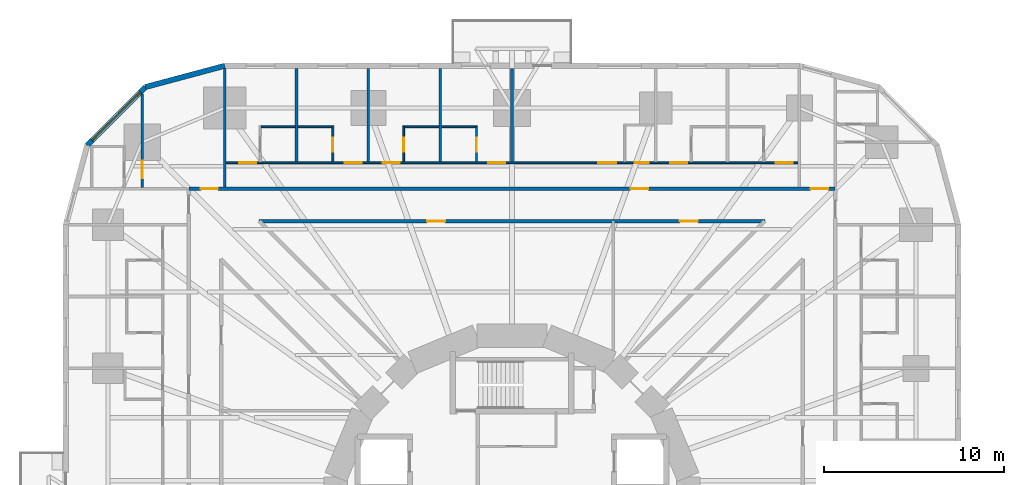
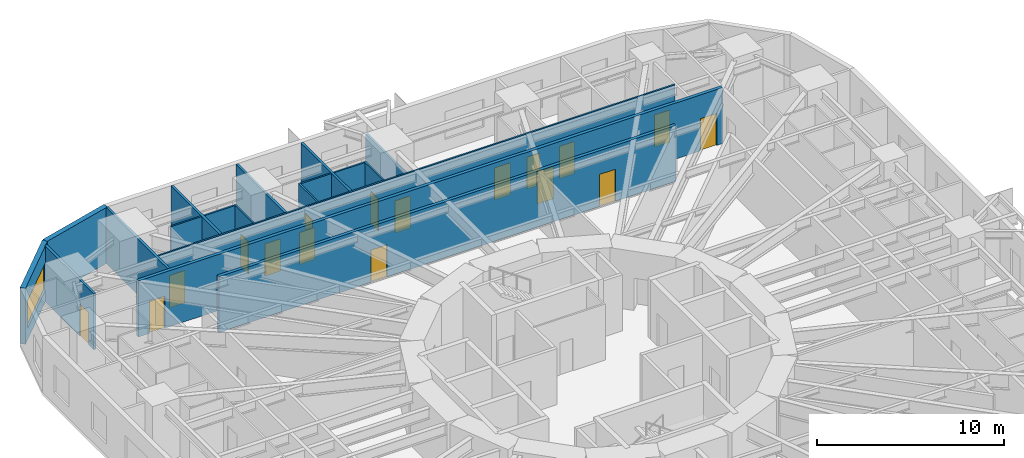
# One storey, part 10 of 14: 18 walls, 17 doors, 1 window, 18 openings.
"""IFC4 building model written with IfcOpenShell, lengths in metres."""

from ifc_helpers import new_model, si_unit, direction, frame, frame_2d, origin, place, context, subcontext, project, spatial, rectangle, extrude, material, layer, layer_set, type_object, element, fill, save


model = new_model("IFC4")

# Units and contexts
model_context = context("Model", 3, precision=1e-05, world=origin(), true_north=direction((0.0, 1.0)))
body_context = subcontext(model_context, "Body", "Model", "MODEL_VIEW")
ifc_project = project(units=[si_unit("LENGTHUNIT", "METRE"), si_unit("AREAUNIT", "SQUARE_METRE"), si_unit("VOLUMEUNIT", "CUBIC_METRE"), si_unit("PLANEANGLEUNIT", "RADIAN"), si_unit("MASSUNIT", "GRAM", prefix="KILO")], contexts=[model_context])

# Site, building, storey
site_placement = place(None, origin())
site = spatial("IfcSite", under=ifc_project, at=site_placement, CompositionType="ELEMENT")
building_placement = place(site_placement, origin())
building = spatial("IfcBuilding", under=site, at=building_placement, Name="Nakasero Lantern House", CompositionType="ELEMENT")
storey_placement = place(building_placement, frame((0.0, 0.0, 35.25)))
storey = spatial("IfcBuildingStorey", under=building, at=storey_placement, Name="L08", CompositionType="ELEMENT", Elevation=35.25)

# Wall, openings, doors
ifc_material_1 = material(Name="Blockwork", Category="masonry")
ifc_layer_1 = layer(ifc_material_1, 0.10009765625)
ifc_layer_set_1 = layer_set([ifc_layer_1], Name="Cluster hall wall 100")
wall_type_1 = type_object("IfcWallType", Name="Cluster hall wall 100", PredefinedType="PARTITIONING", material=ifc_layer_set_1)
wall_1_placement = place(storey_placement, frame((15.925048828125, 19.449951171875, 0.0), z_axis=(0.0, 0.0, 1.0), x_axis=(-1.0, 0.0, 0.0)))
wall_1 = element("IfcWall", 1, at=wall_1_placement, inside=storey, type_object=wall_type_1, Name="Cluster hall wall L08 HW1-0", PredefinedType="PARTITIONING", context=body_context, shape_type="SweptSolid", body=[
    extrude(rectangle(XDim=31.85009765625, YDim=0.10009765625, at=frame_2d((15.925048828125, 0.0))), origin(), (0.0, 0.0, 1.0), 3.64990234375),
])
opening_1_placement = place(wall_1_placement, frame((10.125, 0.0, 0.0)))
opening_1 = element("IfcOpeningElement", 2, at=opening_1_placement, cuts=wall_1, Name="Opening D03", PredefinedType="OPENING", context=body_context, shape_type="SweptSolid", body=[
    extrude(rectangle(XDim=1.0, YDim=2.10009765625, at=frame_2d((0.5, 1.050048828125))), frame((0.0, 0.070068359375, 0.0), z_axis=(0.0, -1.0, 0.0), x_axis=(1.0, 0.0, 0.0)), (0.0, 0.0, 1.0), 0.14013671875),
])
opening_2_placement = place(wall_1_placement, frame((8.300048828125, 0.0, 0.0)))
opening_2 = element("IfcOpeningElement", 3, at=opening_2_placement, cuts=wall_1, Name="Opening D02", PredefinedType="OPENING", context=body_context, shape_type="SweptSolid", body=[
    extrude(rectangle(XDim=0.800048828125, YDim=2.10009765625, at=frame_2d((0.39990234375, 1.050048828125))), frame((0.0, 0.070068359375, 0.0), z_axis=(0.0, -1.0, 0.0), x_axis=(1.0, 0.0, 0.0)), (0.0, 0.0, 1.0), 0.14013671875),
])
opening_3_placement = place(wall_1_placement, frame((0.300048828125, 0.0, 0.0)))
opening_3 = element("IfcOpeningElement", 4, at=opening_3_placement, cuts=wall_1, Name="Opening D01", PredefinedType="OPENING", context=body_context, shape_type="SweptSolid", body=[
    extrude(rectangle(XDim=0.949951171875, YDim=2.10009765625, at=frame_2d((0.47509765625, 1.050048828125))), frame((0.0, 0.070068359375, 0.0), z_axis=(0.0, -1.0, 0.0), x_axis=(1.0, 0.0, 0.0)), (0.0, 0.0, 1.0), 0.14013671875),
])
opening_4_placement = place(wall_1_placement, frame((6.175048828125, 0.0, 0.0)))
opening_4 = element("IfcOpeningElement", 5, at=opening_4_placement, cuts=wall_1, Name="Opening D01", PredefinedType="OPENING", context=body_context, shape_type="SweptSolid", body=[
    extrude(rectangle(XDim=0.949951171875, YDim=2.10009765625, at=frame_2d((0.47509765625, 1.050048828125))), frame((0.0, 0.070068359375, 0.0), z_axis=(0.0, -1.0, 0.0), x_axis=(1.0, 0.0, 0.0)), (0.0, 0.0, 1.0), 0.14013671875),
])
opening_5_placement = place(wall_1_placement, frame((16.300048828125, 0.0, 0.0)))
opening_5 = element("IfcOpeningElement", 6, at=opening_5_placement, cuts=wall_1, Name="Opening D01", PredefinedType="OPENING", context=body_context, shape_type="SweptSolid", body=[
    extrude(rectangle(XDim=0.949951171875, YDim=2.10009765625, at=frame_2d((0.47509765625, 1.050048828125))), frame((0.0, 0.070068359375, 0.0), z_axis=(0.0, -1.0, 0.0), x_axis=(1.0, 0.0, 0.0)), (0.0, 0.0, 1.0), 0.14013671875),
])
opening_6_placement = place(wall_1_placement, frame((22.175048828125, 0.0, 0.0)))
opening_6 = element("IfcOpeningElement", 7, at=opening_6_placement, cuts=wall_1, Name="Opening D01", PredefinedType="OPENING", context=body_context, shape_type="SweptSolid", body=[
    extrude(rectangle(XDim=0.949951171875, YDim=2.10009765625, at=frame_2d((0.47509765625, 1.050048828125))), frame((0.0, 0.070068359375, 0.0), z_axis=(0.0, -1.0, 0.0), x_axis=(1.0, 0.0, 0.0)), (0.0, 0.0, 1.0), 0.14013671875),
])
opening_7_placement = place(wall_1_placement, frame((24.300048828125, 0.0, 0.0)))
opening_7 = element("IfcOpeningElement", 8, at=opening_7_placement, cuts=wall_1, Name="Opening D01", PredefinedType="OPENING", context=body_context, shape_type="SweptSolid", body=[
    extrude(rectangle(XDim=0.949951171875, YDim=2.10009765625, at=frame_2d((0.47509765625, 1.050048828125))), frame((0.0, 0.070068359375, 0.0), z_axis=(0.0, -1.0, 0.0), x_axis=(1.0, 0.0, 0.0)), (0.0, 0.0, 1.0), 0.14013671875),
])
opening_8_placement = place(wall_1_placement, frame((30.175048828125, 0.0, 0.0)))
opening_8 = element("IfcOpeningElement", 9, at=opening_8_placement, cuts=wall_1, Name="Opening D01", PredefinedType="OPENING", context=body_context, shape_type="SweptSolid", body=[
    extrude(rectangle(XDim=0.949951171875, YDim=2.10009765625, at=frame_2d((0.47509765625, 1.050048828125))), frame((0.0, 0.070068359375, 0.0), z_axis=(0.0, -1.0, 0.0), x_axis=(1.0, 0.0, 0.0)), (0.0, 0.0, 1.0), 0.14013671875),
])
ifc_material_2 = material(Name="Timber C24", Category="wood")
door_type_1 = type_object("IfcDoorType", Name="Bedroom door FD30S 950", OperationType="SINGLE_SWING_LEFT", PredefinedType="DOOR", material=ifc_material_2)
door_1_placement = place(opening_3_placement, origin())
door_1 = element("IfcDoor", 10, at=door_1_placement, inside=storey, type_object=door_type_1, Name="Door L08 D1-01", OperationType="SINGLE_SWING_LEFT", OverallHeight=2.10009765625, OverallWidth=0.949951171875, PredefinedType="DOOR", context=body_context, shape_type="SweptSolid", body=[
    extrude(rectangle(XDim=0.949951171875, YDim=2.10009765625, at=frame_2d((0.47509765625, 1.050048828125))), frame((0.0, 0.02490234375, 0.0), z_axis=(0.0, -1.0, 0.0), x_axis=(1.0, 0.0, 0.0)), (0.0, 0.0, 1.0), 0.050048828125),
])
fill(opening_3, door_1)
door_2_placement = place(opening_4_placement, origin())
door_2 = element("IfcDoor", 11, at=door_2_placement, inside=storey, type_object=door_type_1, Name="Door L08 D1-02", OperationType="SINGLE_SWING_LEFT", OverallHeight=2.10009765625, OverallWidth=0.949951171875, PredefinedType="DOOR", context=body_context, shape_type="SweptSolid", body=[
    extrude(rectangle(XDim=0.949951171875, YDim=2.10009765625, at=frame_2d((0.47509765625, 1.050048828125))), frame((0.0, 0.02490234375, 0.0), z_axis=(0.0, -1.0, 0.0), x_axis=(1.0, 0.0, 0.0)), (0.0, 0.0, 1.0), 0.050048828125),
])
fill(opening_4, door_2)
door_3_placement = place(opening_5_placement, origin())
door_3 = element("IfcDoor", 12, at=door_3_placement, inside=storey, type_object=door_type_1, Name="Door L08 D1-05", OperationType="SINGLE_SWING_RIGHT", OverallHeight=2.10009765625, OverallWidth=0.949951171875, PredefinedType="DOOR", context=body_context, shape_type="SweptSolid", body=[
    extrude(rectangle(XDim=0.949951171875, YDim=2.10009765625, at=frame_2d((0.47509765625, 1.050048828125))), frame((0.0, 0.02490234375, 0.0), z_axis=(0.0, -1.0, 0.0), x_axis=(1.0, 0.0, 0.0)), (0.0, 0.0, 1.0), 0.050048828125),
])
fill(opening_5, door_3)
door_4_placement = place(opening_6_placement, origin())
door_4 = element("IfcDoor", 13, at=door_4_placement, inside=storey, type_object=door_type_1, Name="Door L08 D1-06", OperationType="SINGLE_SWING_RIGHT", OverallHeight=2.10009765625, OverallWidth=0.949951171875, PredefinedType="DOOR", context=body_context, shape_type="SweptSolid", body=[
    extrude(rectangle(XDim=0.949951171875, YDim=2.10009765625, at=frame_2d((0.47509765625, 1.050048828125))), frame((0.0, 0.02490234375, 0.0), z_axis=(0.0, -1.0, 0.0), x_axis=(1.0, 0.0, 0.0)), (0.0, 0.0, 1.0), 0.050048828125),
])
fill(opening_6, door_4)
door_5_placement = place(opening_7_placement, origin())
door_5 = element("IfcDoor", 14, at=door_5_placement, inside=storey, type_object=door_type_1, Name="Door L08 D1-07", OperationType="SINGLE_SWING_RIGHT", OverallHeight=2.10009765625, OverallWidth=0.949951171875, PredefinedType="DOOR", context=body_context, shape_type="SweptSolid", body=[
    extrude(rectangle(XDim=0.949951171875, YDim=2.10009765625, at=frame_2d((0.47509765625, 1.050048828125))), frame((0.0, 0.02490234375, 0.0), z_axis=(0.0, -1.0, 0.0), x_axis=(1.0, 0.0, 0.0)), (0.0, 0.0, 1.0), 0.050048828125),
])
fill(opening_7, door_5)
door_6_placement = place(opening_8_placement, origin())
door_6 = element("IfcDoor", 15, at=door_6_placement, inside=storey, type_object=door_type_1, Name="Door L08 D1-08", OperationType="SINGLE_SWING_RIGHT", OverallHeight=2.10009765625, OverallWidth=0.949951171875, PredefinedType="DOOR", context=body_context, shape_type="SweptSolid", body=[
    extrude(rectangle(XDim=0.949951171875, YDim=2.10009765625, at=frame_2d((0.47509765625, 1.050048828125))), frame((0.0, 0.02490234375, 0.0), z_axis=(0.0, -1.0, 0.0), x_axis=(1.0, 0.0, 0.0)), (0.0, 0.0, 1.0), 0.050048828125),
])
fill(opening_8, door_6)
ifc_material_3 = material(Name="Timber C24", Category="wood")
door_type_2 = type_object("IfcDoorType", Name="En-suite door 800", OperationType="SINGLE_SWING_RIGHT", PredefinedType="DOOR", material=ifc_material_3)
door_7_placement = place(opening_2_placement, origin())
door_7 = element("IfcDoor", 16, at=door_7_placement, inside=storey, type_object=door_type_2, Name="Door L08 DSH1-0", OperationType="SINGLE_SWING_LEFT", OverallHeight=2.10009765625, OverallWidth=0.800048828125, PredefinedType="DOOR", context=body_context, shape_type="SweptSolid", body=[
    extrude(rectangle(XDim=0.800048828125, YDim=2.10009765625, at=frame_2d((0.39990234375, 1.050048828125))), frame((0.0, 0.02490234375, 0.0), z_axis=(0.0, -1.0, 0.0), x_axis=(1.0, 0.0, 0.0)), (0.0, 0.0, 1.0), 0.050048828125),
])
fill(opening_2, door_7)
ifc_material_4 = material(Name="Timber C24", Category="wood")
door_type_3 = type_object("IfcDoorType", Name="Lounge door FD30S 1000", OperationType="SINGLE_SWING_LEFT", PredefinedType="DOOR", material=ifc_material_4)
door_8_placement = place(opening_1_placement, origin())
door_8 = element("IfcDoor", 17, at=door_8_placement, inside=storey, type_object=door_type_3, Name="Door L08 DH1-0", OperationType="SINGLE_SWING_LEFT", OverallHeight=2.10009765625, OverallWidth=1.0, PredefinedType="DOOR", context=body_context, shape_type="SweptSolid", body=[
    extrude(rectangle(XDim=1.0, YDim=2.10009765625, at=frame_2d((0.5, 1.050048828125))), frame((0.0, 0.02490234375, 0.0), z_axis=(0.0, -1.0, 0.0), x_axis=(1.0, 0.0, 0.0)), (0.0, 0.0, 1.0), 0.050048828125),
])
fill(opening_1, door_8)

ifc_material_5 = material(Name="Blockwork", Category="masonry")
ifc_layer_2 = layer(ifc_material_5, 0.199951171875)
ifc_layer_set_2 = layer_set([ifc_layer_2], Name="Corridor wall 200")
wall_type_2 = type_object("IfcWallType", Name="Corridor wall 200", PredefinedType="PARTITIONING", material=ifc_layer_set_2)
wall_2_placement = place(storey_placement, frame((18.0, 18.0, 0.0), z_axis=(0.0, 0.0, 1.0), x_axis=(-1.0, 0.0, 0.0)))
wall_2 = element("IfcWall", 18, at=wall_2_placement, inside=storey, type_object=wall_type_2, Name="Corridor wall L08 CW1", PredefinedType="PARTITIONING", context=body_context, shape_type="SweptSolid", body=[
    extrude(rectangle(XDim=36.0, YDim=0.199951171875, at=frame_2d((18.0, 0.0))), origin(), (0.0, 0.0, 1.0), 3.64990234375),
])
opening_9_placement = place(wall_2_placement, frame((10.39990234375, 0.0, 0.0)))
opening_9 = element("IfcOpeningElement", 19, at=opening_9_placement, cuts=wall_2, Name="Opening D14", PredefinedType="OPENING", context=body_context, shape_type="SweptSolid", body=[
    extrude(rectangle(XDim=1.0, YDim=2.10009765625, at=frame_2d((0.5, 1.050048828125))), frame((0.0, 0.119873046875, 0.0), z_axis=(0.0, -1.0, 0.0), x_axis=(1.0, 0.0, 0.0)), (0.0, 0.0, 1.0), 0.239990234375),
])
opening_10_placement = place(wall_2_placement, frame((0.375, 0.0, 0.0)))
opening_10 = element("IfcOpeningElement", 20, at=opening_10_placement, cuts=wall_2, Name="Opening D07", PredefinedType="OPENING", context=body_context, shape_type="SweptSolid", body=[
    extrude(rectangle(XDim=1.0, YDim=2.10009765625, at=frame_2d((0.5, 1.050048828125))), frame((0.0, 0.119873046875, 0.0), z_axis=(0.0, -1.0, 0.0), x_axis=(1.0, 0.0, 0.0)), (0.0, 0.0, 1.0), 0.239990234375),
])
opening_11_placement = place(wall_2_placement, frame((34.375, 0.0, 0.0)))
opening_11 = element("IfcOpeningElement", 21, at=opening_11_placement, cuts=wall_2, Name="Opening D01", PredefinedType="OPENING", context=body_context, shape_type="SweptSolid", body=[
    extrude(rectangle(XDim=0.949951171875, YDim=2.10009765625, at=frame_2d((0.47509765625, 1.050048828125))), frame((0.0, 0.119873046875, 0.0), z_axis=(0.0, -1.0, 0.0), x_axis=(1.0, 0.0, 0.0)), (0.0, 0.0, 1.0), 0.239990234375),
])
door_9_placement = place(opening_11_placement, origin())
door_9 = element("IfcDoor", 22, at=door_9_placement, inside=storey, type_object=door_type_1, Name="Door L08 D1-09", OperationType="SINGLE_SWING_RIGHT", OverallHeight=2.10009765625, OverallWidth=0.949951171875, PredefinedType="DOOR", context=body_context, shape_type="SweptSolid", body=[
    extrude(rectangle(XDim=0.949951171875, YDim=2.10009765625, at=frame_2d((0.47509765625, 1.050048828125))), frame((0.0, 0.02490234375, 0.0), z_axis=(0.0, -1.0, 0.0), x_axis=(1.0, 0.0, 0.0)), (0.0, 0.0, 1.0), 0.050048828125),
])
fill(opening_11, door_9)
ifc_material_6 = material(Name="Timber C24", Category="wood")
door_type_4 = type_object("IfcDoorType", Name="Cluster entrance door FD30S 1000", OperationType="SINGLE_SWING_LEFT", PredefinedType="DOOR", material=ifc_material_6)
door_10_placement = place(opening_9_placement, origin())
door_10 = element("IfcDoor", 23, at=door_10_placement, inside=storey, type_object=door_type_4, Name="Door L08 DF1-0", OperationType="SINGLE_SWING_LEFT", OverallHeight=2.10009765625, OverallWidth=1.0, PredefinedType="DOOR", context=body_context, shape_type="SweptSolid", body=[
    extrude(rectangle(XDim=1.0, YDim=2.10009765625, at=frame_2d((0.5, 1.050048828125))), frame((0.0, 0.02490234375, 0.0), z_axis=(0.0, -1.0, 0.0), x_axis=(1.0, 0.0, 0.0)), (0.0, 0.0, 1.0), 0.050048828125),
])
fill(opening_9, door_10)
ifc_material_7 = material(Name="Timber C24", Category="wood")
door_type_5 = type_object("IfcDoorType", Name="Room door FD30S 1000", OperationType="SINGLE_SWING_LEFT", PredefinedType="DOOR", material=ifc_material_7)
door_11_placement = place(opening_10_placement, origin())
door_11 = element("IfcDoor", 24, at=door_11_placement, inside=storey, type_object=door_type_5, Name="Door L08 D1-00", OperationType="SINGLE_SWING_LEFT", OverallHeight=2.10009765625, OverallWidth=1.0, PredefinedType="DOOR", context=body_context, shape_type="SweptSolid", body=[
    extrude(rectangle(XDim=1.0, YDim=2.10009765625, at=frame_2d((0.5, 1.050048828125))), frame((0.0, 0.02490234375, 0.0), z_axis=(0.0, -1.0, 0.0), x_axis=(1.0, 0.0, 0.0)), (0.0, 0.0, 1.0), 0.050048828125),
])
fill(opening_10, door_11)

wall_3_placement = place(storey_placement, frame((14.07861328125, 16.199951171875, 0.0), z_axis=(0.0, 0.0, 1.0), x_axis=(-1.0, 0.0, 0.0)))
wall_3 = element("IfcWall", 25, at=wall_3_placement, inside=storey, type_object=wall_type_2, Name="Corridor wall L08 IW1-0", PredefinedType="PARTITIONING", context=body_context, shape_type="SweptSolid", body=[
    extrude(rectangle(XDim=28.1572265625, YDim=0.199951171875, at=frame_2d((14.07861328125, 0.0))), origin(), (0.0, 0.0, 1.0), 3.64990234375),
])
opening_12_placement = place(wall_3_placement, frame((3.7236328125, 0.0, 0.0)))
opening_12 = element("IfcOpeningElement", 26, at=opening_12_placement, cuts=wall_3, Name="Opening D07", PredefinedType="OPENING", context=body_context, shape_type="SweptSolid", body=[
    extrude(rectangle(XDim=1.0, YDim=2.10009765625, at=frame_2d((0.5, 1.050048828125))), frame((0.0, 0.119873046875, 0.0), z_axis=(0.0, -1.0, 0.0), x_axis=(1.0, 0.0, 0.0)), (0.0, 0.0, 1.0), 0.239990234375),
])
opening_13_placement = place(wall_3_placement, frame((17.80224609375, 0.0, 0.0)))
opening_13 = element("IfcOpeningElement", 27, at=opening_13_placement, cuts=wall_3, Name="Opening D07", PredefinedType="OPENING", context=body_context, shape_type="SweptSolid", body=[
    extrude(rectangle(XDim=1.0, YDim=2.10009765625, at=frame_2d((0.5, 1.050048828125))), frame((0.0, 0.119873046875, 0.0), z_axis=(0.0, -1.0, 0.0), x_axis=(1.0, 0.0, 0.0)), (0.0, 0.0, 1.0), 0.239990234375),
])
door_12_placement = place(opening_12_placement, origin())
door_12 = element("IfcDoor", 28, at=door_12_placement, inside=storey, type_object=door_type_5, Name="Door L08 DI2", OperationType="SINGLE_SWING_LEFT", OverallHeight=2.10009765625, OverallWidth=1.0, PredefinedType="DOOR", context=body_context, shape_type="SweptSolid", body=[
    extrude(rectangle(XDim=1.0, YDim=2.10009765625, at=frame_2d((0.5, 1.050048828125))), frame((0.0, 0.02490234375, 0.0), z_axis=(0.0, -1.0, 0.0), x_axis=(1.0, 0.0, 0.0)), (0.0, 0.0, 1.0), 0.050048828125),
])
fill(opening_12, door_12)
door_13_placement = place(opening_13_placement, origin())
door_13 = element("IfcDoor", 29, at=door_13_placement, inside=storey, type_object=door_type_5, Name="Door L08 DI2S", OperationType="SINGLE_SWING_RIGHT", OverallHeight=2.10009765625, OverallWidth=1.0, PredefinedType="DOOR", context=body_context, shape_type="SweptSolid", body=[
    extrude(rectangle(XDim=1.0, YDim=2.10009765625, at=frame_2d((0.5, 1.050048828125))), frame((0.0, 0.02490234375, 0.0), z_axis=(0.0, -1.0, 0.0), x_axis=(1.0, 0.0, 0.0)), (0.0, 0.0, 1.0), 0.050048828125),
])
fill(opening_13, door_13)

# Wall, opening, door
ifc_material_8 = material(Name="Blockwork", Category="masonry")
ifc_layer_3 = layer(ifc_material_8, 0.10009765625)
ifc_layer_set_3 = layer_set([ifc_layer_3], Name="En-suite wall 100")
wall_type_3 = type_object("IfcWallType", Name="En-suite wall 100", PredefinedType="PARTITIONING", material=ifc_layer_set_3)
wall_4_placement = place(storey_placement, frame((-1.97509765625, 19.5, 0.0), z_axis=(0.0, 0.0, 1.0), x_axis=(0.0, 1.0, 0.0)))
wall_4 = element("IfcWall", 30, at=wall_4_placement, inside=storey, type_object=wall_type_3, Name="En-suite wall L08 ES1-05", PredefinedType="PARTITIONING", context=body_context, shape_type="SweptSolid", body=[
    extrude(rectangle(XDim=2.0, YDim=0.10009765625, at=frame_2d((1.0, 0.0))), origin(), (0.0, 0.0, 1.0), 3.64990234375),
])
opening_14_placement = place(wall_4_placement, frame((0.550048828125, 0.0, 0.0)))
opening_14 = element("IfcOpeningElement", 31, at=opening_14_placement, cuts=wall_4, Name="Opening D02", PredefinedType="OPENING", context=body_context, shape_type="SweptSolid", body=[
    extrude(rectangle(XDim=0.800048828125, YDim=2.10009765625, at=frame_2d((0.39990234375, 1.050048828125))), frame((0.0, 0.070068359375, 0.0), z_axis=(0.0, -1.0, 0.0), x_axis=(1.0, 0.0, 0.0)), (0.0, 0.0, 1.0), 0.14013671875),
])
door_14_placement = place(opening_14_placement, origin())
door_14 = element("IfcDoor", 32, at=door_14_placement, inside=storey, type_object=door_type_2, Name="Door L08 DE1-05", OperationType="SINGLE_SWING_LEFT", OverallHeight=2.10009765625, OverallWidth=0.800048828125, PredefinedType="DOOR", context=body_context, shape_type="SweptSolid", body=[
    extrude(rectangle(XDim=0.800048828125, YDim=2.10009765625, at=frame_2d((0.39990234375, 1.050048828125))), frame((0.0, 0.02490234375, 0.0), z_axis=(0.0, -1.0, 0.0), x_axis=(1.0, 0.0, 0.0)), (0.0, 0.0, 1.0), 0.050048828125),
])
fill(opening_14, door_14)

# Wall
wall_5_placement = place(storey_placement, frame((-2.02490234375, 21.449951171875, 0.0), z_axis=(0.0, 0.0, 1.0), x_axis=(-1.0, 0.0, 0.0)))
element("IfcWall", 33, at=wall_5_placement, inside=storey, type_object=wall_type_3, Name="En-suite wall L08 EE1-05", PredefinedType="PARTITIONING", context=body_context, shape_type="SweptSolid", body=[
    extrude(rectangle(XDim=1.900146484375, YDim=0.10009765625, at=frame_2d((0.9501953125, 0.0))), origin(), (0.0, 0.0, 1.0), 3.64990234375),
])

# Wall, opening, door
wall_6_placement = place(storey_placement, frame((-6.02490234375, 19.5, 0.0), z_axis=(0.0, 0.0, 1.0), x_axis=(0.0, 1.0, 0.0)))
wall_6 = element("IfcWall", 34, at=wall_6_placement, inside=storey, type_object=wall_type_3, Name="En-suite wall L08 ES1-06", PredefinedType="PARTITIONING", context=body_context, shape_type="SweptSolid", body=[
    extrude(rectangle(XDim=2.0, YDim=0.10009765625, at=frame_2d((1.0, 0.0))), origin(), (0.0, 0.0, 1.0), 3.64990234375),
])
opening_15_placement = place(wall_6_placement, frame((0.550048828125, 0.0, 0.0)))
opening_15 = element("IfcOpeningElement", 35, at=opening_15_placement, cuts=wall_6, Name="Opening D02", PredefinedType="OPENING", context=body_context, shape_type="SweptSolid", body=[
    extrude(rectangle(XDim=0.800048828125, YDim=2.10009765625, at=frame_2d((0.39990234375, 1.050048828125))), frame((0.0, 0.070068359375, 0.0), z_axis=(0.0, -1.0, 0.0), x_axis=(1.0, 0.0, 0.0)), (0.0, 0.0, 1.0), 0.14013671875),
])
door_15_placement = place(opening_15_placement, origin())
door_15 = element("IfcDoor", 36, at=door_15_placement, inside=storey, type_object=door_type_2, Name="Door L08 DE1-06", OperationType="SINGLE_SWING_LEFT", OverallHeight=2.10009765625, OverallWidth=0.800048828125, PredefinedType="DOOR", context=body_context, shape_type="SweptSolid", body=[
    extrude(rectangle(XDim=0.800048828125, YDim=2.10009765625, at=frame_2d((0.39990234375, 1.050048828125))), frame((0.0, 0.02490234375, 0.0), z_axis=(0.0, -1.0, 0.0), x_axis=(1.0, 0.0, 0.0)), (0.0, 0.0, 1.0), 0.050048828125),
])
fill(opening_15, door_15)

# Wall
wall_7_placement = place(storey_placement, frame((-4.074951171875, 21.449951171875, 0.0), z_axis=(0.0, 0.0, 1.0), x_axis=(-1.0, 0.0, 0.0)))
element("IfcWall", 37, at=wall_7_placement, inside=storey, type_object=wall_type_3, Name="En-suite wall L08 EE1-06", PredefinedType="PARTITIONING", context=body_context, shape_type="SweptSolid", body=[
    extrude(rectangle(XDim=1.900146484375, YDim=0.10009765625, at=frame_2d((0.9501953125, 0.0))), origin(), (0.0, 0.0, 1.0), 3.64990234375),
])

# Wall, opening, door
wall_8_placement = place(storey_placement, frame((-9.97509765625, 19.5, 0.0), z_axis=(0.0, 0.0, 1.0), x_axis=(0.0, 1.0, 0.0)))
wall_8 = element("IfcWall", 38, at=wall_8_placement, inside=storey, type_object=wall_type_3, Name="En-suite wall L08 ES1-07", PredefinedType="PARTITIONING", context=body_context, shape_type="SweptSolid", body=[
    extrude(rectangle(XDim=2.0, YDim=0.10009765625, at=frame_2d((1.0, 0.0))), origin(), (0.0, 0.0, 1.0), 3.64990234375),
])
opening_16_placement = place(wall_8_placement, frame((0.550048828125, 0.0, 0.0)))
opening_16 = element("IfcOpeningElement", 39, at=opening_16_placement, cuts=wall_8, Name="Opening D02", PredefinedType="OPENING", context=body_context, shape_type="SweptSolid", body=[
    extrude(rectangle(XDim=0.800048828125, YDim=2.10009765625, at=frame_2d((0.39990234375, 1.050048828125))), frame((0.0, 0.070068359375, 0.0), z_axis=(0.0, -1.0, 0.0), x_axis=(1.0, 0.0, 0.0)), (0.0, 0.0, 1.0), 0.14013671875),
])
door_16_placement = place(opening_16_placement, origin())
door_16 = element("IfcDoor", 40, at=door_16_placement, inside=storey, type_object=door_type_2, Name="Door L08 DE1-07", OperationType="SINGLE_SWING_LEFT", OverallHeight=2.10009765625, OverallWidth=0.800048828125, PredefinedType="DOOR", context=body_context, shape_type="SweptSolid", body=[
    extrude(rectangle(XDim=0.800048828125, YDim=2.10009765625, at=frame_2d((0.39990234375, 1.050048828125))), frame((0.0, 0.02490234375, 0.0), z_axis=(0.0, -1.0, 0.0), x_axis=(1.0, 0.0, 0.0)), (0.0, 0.0, 1.0), 0.050048828125),
])
fill(opening_16, door_16)

# Walls
for number, where, z_axis, x_axis, name in (
    (41, (-10.02490234375, 21.449951171875, 0.0), (0.0, 0.0, 1.0), (-1.0, 0.0, 0.0), "En-suite wall L08 EE1-07"),
    (42, (-12.074951171875, 21.449951171875, 0.0), (0.0, 0.0, 1.0), (-1.0, 0.0, 0.0), "En-suite wall L08 EE1-08"),
):
    element("IfcWall", number, at=place(storey_placement, frame(where, z_axis=z_axis, x_axis=x_axis)), inside=storey, type_object=wall_type_3, Name=name, PredefinedType="PARTITIONING", context=body_context, shape_type="SweptSolid", body=[
        extrude(rectangle(XDim=1.900146484375, YDim=0.10009765625, at=frame_2d((0.9501953125, 0.0))), origin(), (0.0, 0.0, 1.0), 3.64990234375),
    ])
ifc_material_9 = material(Name="Aluminium rainscreen on blockwork", Category="masonry")
ifc_layer_4 = layer(ifc_material_9, 0.300048828125)
ifc_layer_set_4 = layer_set([ifc_layer_4], Name="Facade wall 300")
wall_type_4 = type_object("IfcWallType", Name="Facade wall 300", PredefinedType="SOLIDWALL", material=ifc_layer_set_4)
wall_9_placement = place(storey_placement, frame((-16.0, 24.85009765625, 0.0), z_axis=(0.0, 0.0, 1.0), x_axis=(-0.965920218567, -0.258839972501, 0.0)))
element("IfcWall", 43, at=wall_9_placement, inside=storey, type_object=wall_type_4, Name="Facade wall L08 FW1C1", PredefinedType="SOLIDWALL", context=body_context, shape_type="SweptSolid", body=[
    extrude(rectangle(XDim=4.5810546875, YDim=0.300048828125, at=frame_2d((2.29052734375, 0.0))), origin(), (0.0, 0.0, 1.0), 3.64990234375),
])

# Wall, opening, window
wall_10_placement = place(storey_placement, frame((-20.425048828125, 23.664306640625, 0.0), z_axis=(0.0, 0.0, 1.0), x_axis=(-0.707106781187, -0.707106781187, 0.0)))
wall_10 = element("IfcWall", 44, at=wall_10_placement, inside=storey, type_object=wall_type_4, Name="Facade wall L08 FW1C2", PredefinedType="SOLIDWALL", context=body_context, shape_type="SweptSolid", body=[
    extrude(rectangle(XDim=4.5810546875, YDim=0.300048828125, at=frame_2d((2.29052734375, 0.0))), origin(), (0.0, 0.0, 1.0), 3.64990234375),
])
opening_17_placement = place(wall_10_placement, frame((0.39990234375, 0.0, 0.75)))
opening_17 = element("IfcOpeningElement", 45, at=opening_17_placement, cuts=wall_10, Name="Opening W237", PredefinedType="OPENING", context=body_context, shape_type="SweptSolid", body=[
    extrude(rectangle(XDim=3.781005859375, YDim=1.800048828125, at=frame_2d((1.890625, 0.89990234375))), frame((0.0, 0.169921875, 0.0), z_axis=(0.0, -1.0, 0.0), x_axis=(1.0, 0.0, 0.0)), (0.0, 0.0, 1.0), 0.340087890625),
])
ifc_material_10 = material(Name="Aluminium 6063-T6 and glass", Category="aluminium")
window_type = type_object("IfcWindowType", Name="Corner window 3781x1800", PartitioningType="SINGLE_PANEL", PredefinedType="WINDOW", material=ifc_material_10)
window_placement = place(opening_17_placement, origin())
window = element("IfcWindow", 46, at=window_placement, inside=storey, type_object=window_type, Name="Window L08 WC1", OverallHeight=1.800048828125, OverallWidth=3.781005859375, PartitioningType="SINGLE_PANEL", PredefinedType="WINDOW", context=body_context, shape_type="SweptSolid", body=[
    extrude(rectangle(XDim=3.781005859375, YDim=1.800048828125, at=frame_2d((1.890625, 0.89990234375))), frame((0.0, 0.030029296875, 0.0), z_axis=(0.0, -1.0, 0.0), x_axis=(1.0, 0.0, 0.0)), (0.0, 0.0, 1.0), 0.06005859375),
])
fill(opening_17, window)

# Walls
ifc_material_11 = material(Name="Blockwork", Category="masonry")
ifc_layer_5 = layer(ifc_material_11, 0.14990234375)
ifc_layer_set_5 = layer_set([ifc_layer_5], Name="Party wall 150")
wall_type_5 = type_object("IfcWallType", Name="Party wall 150", PredefinedType="PARTITIONING", material=ifc_layer_set_5)
wall_11_placement = place(storey_placement, frame((0.0, 19.5, 0.0), z_axis=(0.0, 0.0, 1.0), x_axis=(0.0, 1.0, 0.0)))
element("IfcWall", 47, at=wall_11_placement, inside=storey, type_object=wall_type_5, Name="Party wall L08 PW1-05", PredefinedType="PARTITIONING", context=body_context, shape_type="SweptSolid", body=[
    extrude(rectangle(XDim=5.199951171875, YDim=0.14990234375, at=frame_2d((2.60009765625, 0.0))), origin(), (0.0, 0.0, 1.0), 2.809326171875),
])
for number, where, z_axis, x_axis, name in (
    (48, (-4.0, 19.5, 0.0), (0.0, 0.0, 1.0), (0.0, 1.0, 0.0), "Party wall L08 PW1-06"),
    (49, (-8.0, 19.5, 0.0), (0.0, 0.0, 1.0), (0.0, 1.0, 0.0), "Party wall L08 PW1-07"),
    (50, (-12.0, 19.5, 0.0), (0.0, 0.0, 1.0), (0.0, 1.0, 0.0), "Party wall L08 PW1-08"),
):
    element("IfcWall", number, at=place(storey_placement, frame(where, z_axis=z_axis, x_axis=x_axis)), inside=storey, type_object=wall_type_5, Name=name, PredefinedType="PARTITIONING", context=body_context, shape_type="SweptSolid", body=[
        extrude(rectangle(XDim=5.199951171875, YDim=0.14990234375, at=frame_2d((2.60009765625, 0.0))), origin(), (0.0, 0.0, 1.0), 3.64990234375),
    ])
wall_12_placement = place(storey_placement, frame((-16.0, 18.10009765625, 0.0), z_axis=(0.0, 0.0, 1.0), x_axis=(0.0, 1.0, 0.0)))
element("IfcWall", 51, at=wall_12_placement, inside=storey, type_object=wall_type_5, Name="Party wall L08 PW1-09", PredefinedType="PARTITIONING", context=body_context, shape_type="SweptSolid", body=[
    extrude(rectangle(XDim=6.58935546875, YDim=0.14990234375, at=frame_2d((3.294677734375, 0.0))), origin(), (0.0, 0.0, 1.0), 3.64990234375),
])

# Wall, opening, door
wall_13_placement = place(storey_placement, frame((-20.59619140625, 18.06494140625, 0.0), z_axis=(0.0, 0.0, 1.0), x_axis=(0.0, 1.0, 0.0)))
wall_13 = element("IfcWall", 52, at=wall_13_placement, inside=storey, type_object=wall_type_5, Name="Party wall L08 PC1", PredefinedType="PARTITIONING", context=body_context, shape_type="SweptSolid", body=[
    extrude(rectangle(XDim=5.208740234375, YDim=0.14990234375, at=frame_2d((2.6044921875, 0.0))), origin(), (0.0, 0.0, 1.0), 3.64990234375),
])
opening_18_placement = place(wall_13_placement, frame((0.534912109375, 0.0, 0.0)))
opening_18 = element("IfcOpeningElement", 53, at=opening_18_placement, cuts=wall_13, Name="Opening D01", PredefinedType="OPENING", context=body_context, shape_type="SweptSolid", body=[
    extrude(rectangle(XDim=0.949951171875, YDim=2.10009765625, at=frame_2d((0.47509765625, 1.050048828125))), frame((0.0, 0.094970703125, 0.0), z_axis=(0.0, -1.0, 0.0), x_axis=(1.0, 0.0, 0.0)), (0.0, 0.0, 1.0), 0.18994140625),
])
door_17_placement = place(opening_18_placement, origin())
door_17 = element("IfcDoor", 54, at=door_17_placement, inside=storey, type_object=door_type_1, Name="Door L08 DC1", OperationType="SINGLE_SWING_LEFT", OverallHeight=2.10009765625, OverallWidth=0.949951171875, PredefinedType="DOOR", context=body_context, shape_type="SweptSolid", body=[
    extrude(rectangle(XDim=0.949951171875, YDim=2.10009765625, at=frame_2d((0.47509765625, 1.050048828125))), frame((0.0, 0.02490234375, 0.0), z_axis=(0.0, -1.0, 0.0), x_axis=(1.0, 0.0, 0.0)), (0.0, 0.0, 1.0), 0.050048828125),
])
fill(opening_18, door_17)

save(model, "model.ifc")
